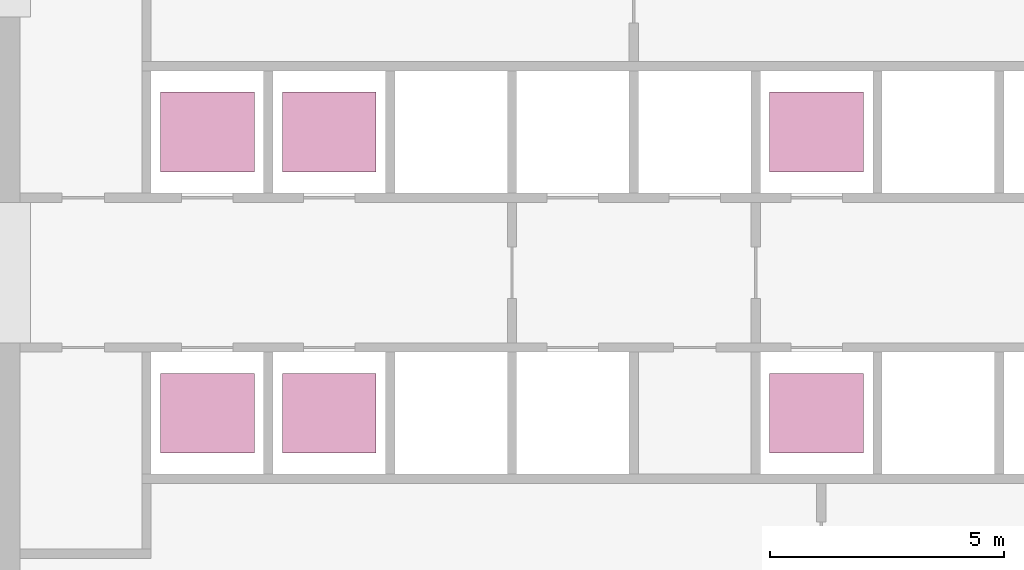
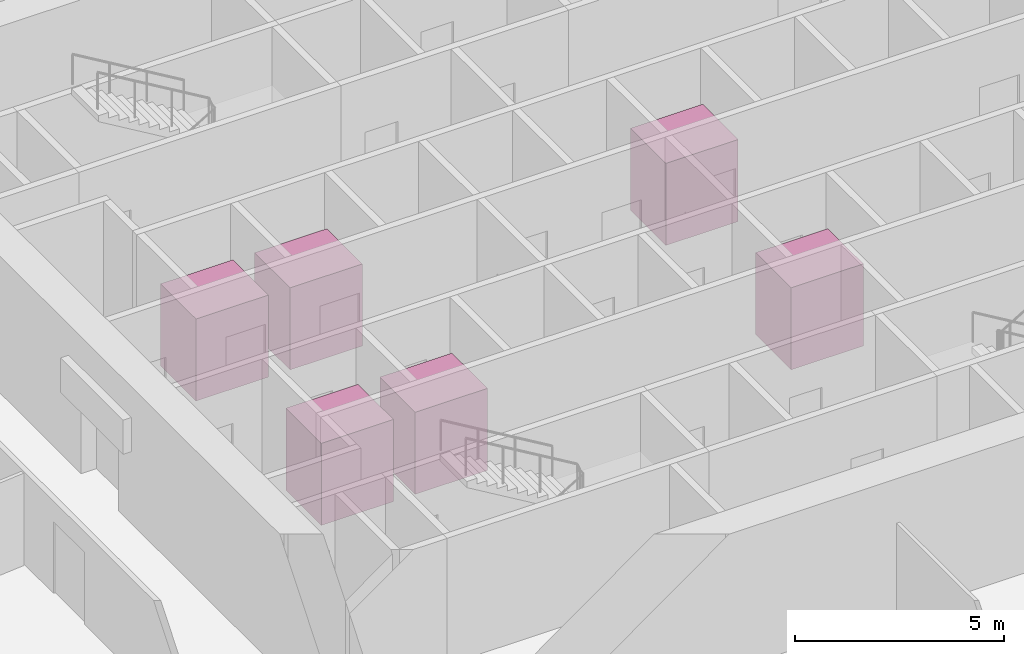
# One storey, part 10 of 10: 6 transport elements.
"""IFC4 building model written with IfcOpenShell, lengths in metres."""

from ifc_helpers import new_model, si_unit, direction, frame, origin, origin_2d, place, context, subcontext, project, spatial, rectangle, extrude, material, type_object, element, save


model = new_model("IFC4")

# Units and contexts
model_context = context("Model", 3, precision=1e-05, world=origin(), true_north=direction((0.0, 1.0)))
body_context = subcontext(model_context, "Body", "Model", "MODEL_VIEW")
ifc_project = project(units=[si_unit("LENGTHUNIT", "METRE"), si_unit("AREAUNIT", "SQUARE_METRE"), si_unit("VOLUMEUNIT", "CUBIC_METRE"), si_unit("PLANEANGLEUNIT", "RADIAN"), si_unit("MASSUNIT", "GRAM", prefix="KILO")], contexts=[model_context])

# Site, building, storey
site_placement = place(None, origin())
site = spatial("IfcSite", under=ifc_project, at=site_placement, CompositionType="ELEMENT")
building_placement = place(site_placement, origin())
building = spatial("IfcBuilding", under=site, at=building_placement, Name="Corvane Civic Tower", CompositionType="ELEMENT")
storey_placement = place(building_placement, frame((0.0, 0.0, 144.0)))
storey = spatial("IfcBuildingStorey", under=building, at=storey_placement, Name="L33", CompositionType="ELEMENT", Elevation=144.0)

# Transport elements
ifc_material = material(Name="Stainless steel 316 car", Category="steel")
transport_element_type = type_object("IfcTransportElementType", Name="LIFT-CAR-2000X1700", PredefinedType="ELEVATOR", material=ifc_material)
for number, where, z_axis, x_axis, name in (
    (1, (-9.10009765625, 3.0, 0.0), (0.0, 0.0, 1.0), (1.0, 0.0, 0.0), "Mid-rise lift 1"),
    (2, (-6.5, 3.0, 0.0), (0.0, 0.0, 1.0), (1.0, 0.0, 0.0), "Mid-rise lift 2"),
    (3, (-9.10009765625, -3.0, 0.0), (0.0, 0.0, 1.0), (1.0, 0.0, 0.0), "Mid-rise lift 3"),
    (4, (-6.5, -3.0, 0.0), (0.0, 0.0, 1.0), (1.0, 0.0, 0.0), "Mid-rise lift 4"),
    (5, (3.89990234375, 3.0, 0.0), (0.0, 0.0, 1.0), (1.0, 0.0, 0.0), "Mid-rise lift 5"),
    (6, (3.89990234375, -3.0, 0.0), (0.0, 0.0, 1.0), (1.0, 0.0, 0.0), "Mid-rise lift 6"),
):
    element("IfcTransportElement", number, at=place(storey_placement, frame(where, z_axis=z_axis, x_axis=x_axis)), inside=storey, type_object=transport_element_type, Name=name, PredefinedType="ELEVATOR", context=body_context, shape_type="SweptSolid", body=[
        extrude(rectangle(XDim=2.0, YDim=1.699951171875, at=origin_2d()), origin(), (0.0, 0.0, 1.0), 2.39990234375),
    ])

save(model, "model.ifc")
